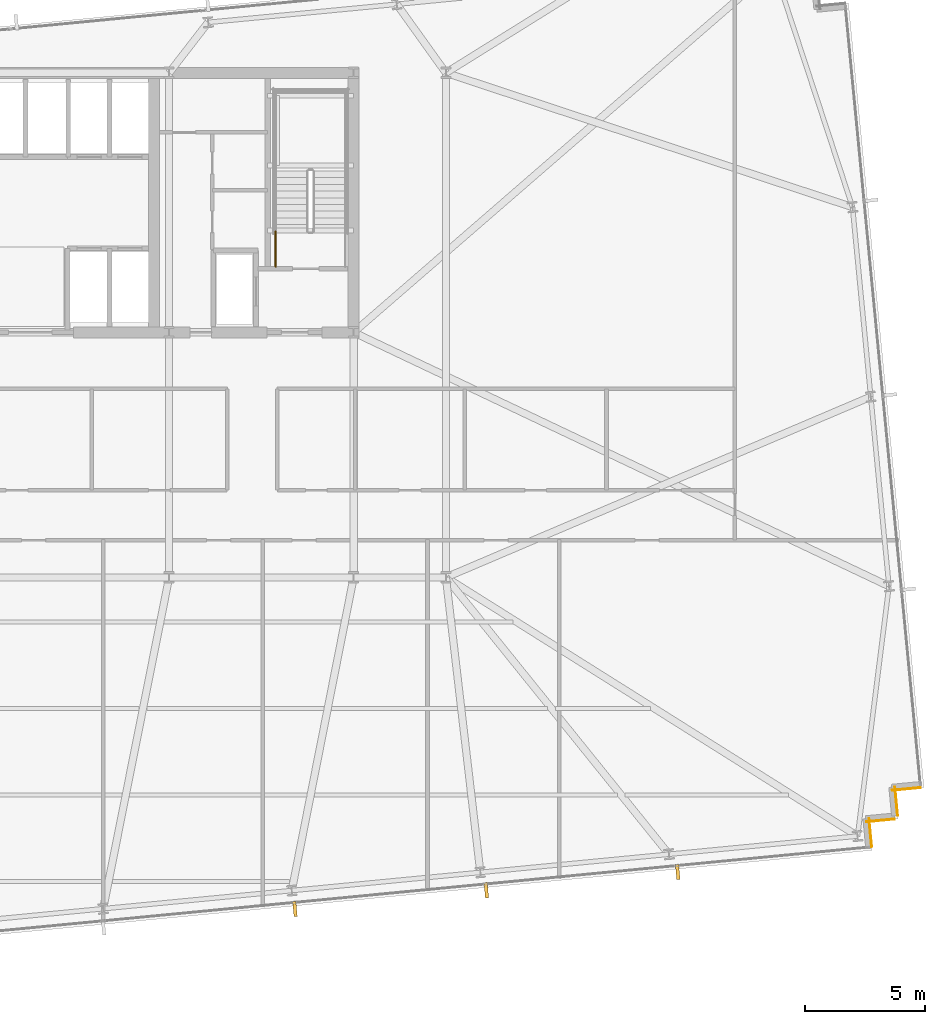
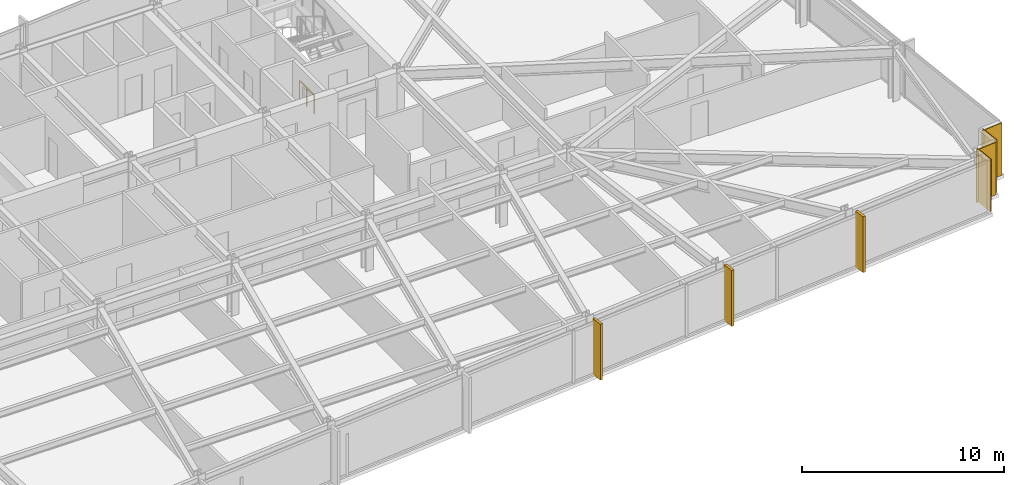
# One storey, part 30 of 33: 4 coverings, 3 shading devices, 1 railing.
"""IFC4 building model written with IfcOpenShell, lengths in metres."""

from ifc_helpers import new_model, si_unit, direction, frame, frame_2d, origin, origin_2d, place, context, subcontext, project, spatial, rectangle, circle, extrude, material, layer, layer_set, type_object, element, save


model = new_model("IFC4")

# Units and contexts
model_context = context("Model", 3, precision=1e-05, world=origin(), true_north=direction((0.0, 1.0)))
body_context = subcontext(model_context, "Body", "Model", "MODEL_VIEW")
ifc_project = project(units=[si_unit("LENGTHUNIT", "METRE"), si_unit("AREAUNIT", "SQUARE_METRE"), si_unit("VOLUMEUNIT", "CUBIC_METRE"), si_unit("PLANEANGLEUNIT", "RADIAN"), si_unit("MASSUNIT", "GRAM", prefix="KILO")], contexts=[model_context])

# Site, building, storey
site_placement = place(None, origin())
site = spatial("IfcSite", under=ifc_project, at=site_placement, CompositionType="ELEMENT")
building_placement = place(site_placement, origin())
building = spatial("IfcBuilding", under=site, at=building_placement, Name="Yelkora Congress Tower", CompositionType="ELEMENT")
storey_placement = place(building_placement, frame((0.0, 0.0, 106.699951171875)))
storey = spatial("IfcBuildingStorey", under=building, at=storey_placement, Name="L28", CompositionType="ELEMENT", Elevation=106.699951171875)

# Coverings
ifc_material_1 = material(Name="Anatolian bush-hammered limestone", Category="masonry")
ifc_layer_1 = layer(ifc_material_1, 0.0400390625)
ifc_layer_set_1 = layer_set([ifc_layer_1], Name="Anatolian bush-hammered limestone")
covering_type = type_object("IfcCoveringType", Name="COV-CLAD-SPANDREL-40", PredefinedType="CLADDING", material=ifc_layer_set_1)
for number, where, z_axis, x_axis, name in (
    (1, (77.360595703125, 16.451416015625, 0.0), (0.0, 0.0, 1.0), (-0.995377661201, -0.096038073607, 0.0), "L28 Anatolian Limestone Cladding EW-L28-SR16"),
    (2, (76.28759765625, 16.483642578125, 0.0), (0.0, 0.0, 1.0), (0.095836473879, -0.995397091755, 0.0), "L28 Anatolian Limestone Cladding EW-L28-SR17"),
    (3, (76.28125, 15.141845703125, 0.0), (0.0, 0.0, 1.0), (-0.995397091755, -0.095836473879, 0.0), "L28 Anatolian Limestone Cladding EW-L28-SR18"),
):
    element("IfcCovering", number, at=place(storey_placement, frame(where, z_axis=z_axis, x_axis=x_axis)), inside=storey, type_object=covering_type, Name=name, PredefinedType="CLADDING", context=body_context, shape_type="SweptSolid", body=[
        extrude(rectangle(XDim=1.199951171875, YDim=0.0400390625, at=frame_2d((0.60009765625, 0.0))), origin(), (0.0, 0.0, 1.0), 3.179931640625),
    ])
covering_placement = place(storey_placement, frame((75.208251953125, 15.17431640625, 0.0), z_axis=(0.0, 0.0, 1.0), x_axis=(0.095817067274, -0.995398960025, 0.0)))
element("IfcCovering", 4, at=covering_placement, inside=storey, type_object=covering_type, Name="L28 Anatolian Limestone Cladding EW-L28-SR19", PredefinedType="CLADDING", context=body_context, shape_type="SweptSolid", body=[
    extrude(rectangle(XDim=1.2001953125, YDim=0.0400390625, at=frame_2d((0.60009765625, 0.0))), origin(), (0.0, 0.0, 1.0), 3.179931640625),
])

# Railing
ifc_material_2 = material(Name="Painted galvanised steel stair well guard with vertical infill", Category="steel")
ifc_layer_2 = layer(ifc_material_2, 0.06005859375)
ifc_layer_set_2 = layer_set([ifc_layer_2], Name="Painted galvanised steel stair well guard with vertical infill")
railing_type = type_object("IfcRailingType", Name="RAIL-STAIR-GUARD-1120", PredefinedType="GUARDRAIL", material=ifc_layer_set_2)
railing_placement = place(storey_placement, frame((50.510009765625, 38.1201171875, 0.0)))
element("IfcRailing", 5, at=railing_placement, inside=storey, type_object=railing_type, Name="ST-02 L28 Stair Well Guardrail 9", PredefinedType="GUARDRAIL", context=body_context, shape_type="SweptSolid", body=[
    extrude(circle(Radius=0.02392578125, at=origin_2d()), frame((0.0, 0.0, 1.09619140625), z_axis=(0.0, 1.0, 0.0), x_axis=(-1.0, 0.0, 0.0)), (0.0, 0.0, 1.0), 1.47998046875),
    extrude(circle(Radius=0.02099609375, at=origin_2d()), origin(), (0.0, 0.0, 1.0), 1.072021484375),
    extrude(circle(Radius=0.02099609375, at=origin_2d()), frame((0.0, 0.739990234375, 0.0)), (0.0, 0.0, 1.0), 1.072021484375),
    extrude(circle(Radius=0.02099609375, at=origin_2d()), frame((0.0, 1.47998046875, 0.0)), (0.0, 0.0, 1.0), 1.072021484375),
])

# Shading devices
ifc_material_3 = material(Name="Champagne anodised aluminium", Category="aluminium")
ifc_layer_3 = layer(ifc_material_3, 3.39990234375)
ifc_layer_set_3 = layer_set([ifc_layer_3], Name="Champagne anodised aluminium")
shading_device_type = type_object("IfcShadingDeviceType", Name="SHD-FIN-ALU-640", PredefinedType="USERDEFINED", material=ifc_layer_set_3)
for number, where, z_axis, x_axis, name in (
    (6, (67.247802734375, 12.94091796875, -0.02978515625), (0.0, 0.0, 1.0), (-0.995396198367, -0.09584575252, 0.0), "L28 Vertical Anodised Solar Fin 20-1"),
    (7, (59.28173828125, 12.173828125, -0.02978515625), (0.0, 0.0, 1.0), (-0.995396198367, -0.09584575252, 0.0), "L28 Vertical Anodised Solar Fin 20-2"),
    (8, (51.315673828125, 11.40673828125, -0.02978515625), (0.0, 0.0, 1.0), (-0.995396198367, -0.09584575252, 0.0), "L28 Vertical Anodised Solar Fin 20-3"),
):
    element("IfcShadingDevice", number, at=place(storey_placement, frame(where, z_axis=z_axis, x_axis=x_axis)), inside=storey, type_object=shading_device_type, Name=name, ObjectType="FIN", PredefinedType="USERDEFINED", context=body_context, shape_type="SweptSolid", body=[
        extrude(rectangle(XDim=0.139892578125, YDim=0.639892578125, at=origin_2d()), origin(), (0.0, 0.0, 1.0), 3.3798828125),
    ])

save(model, "model.ifc")
